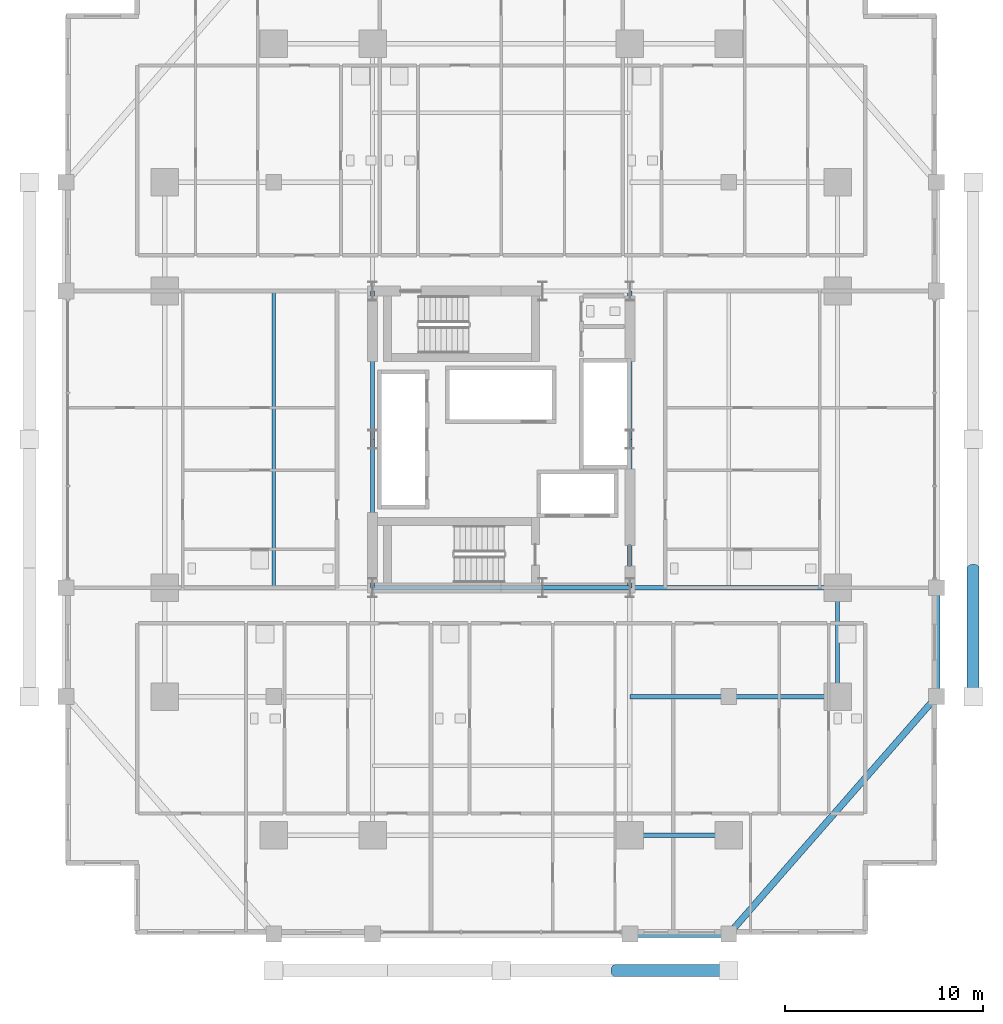
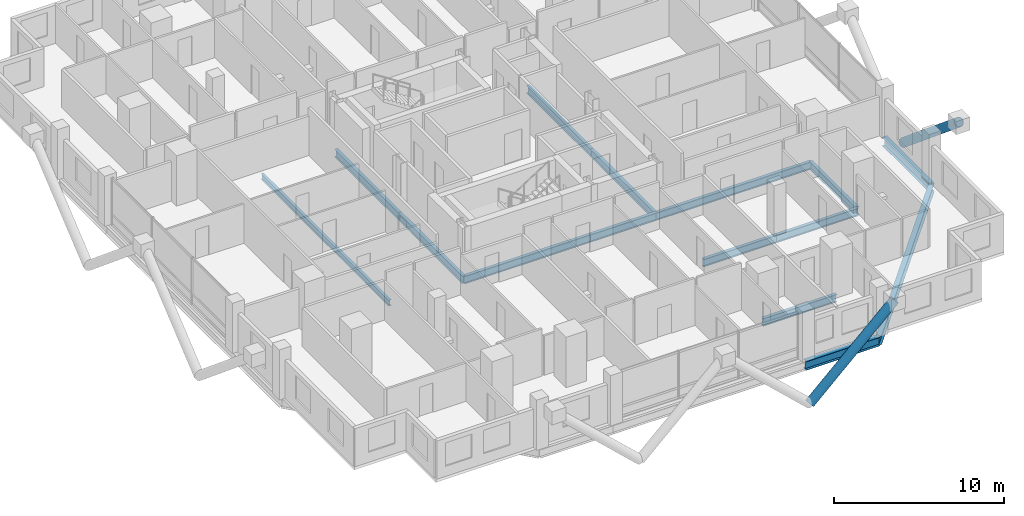
# One storey, part 7 of 24: 15 beams, 2 members.
"""IFC4 building model written with IfcOpenShell, lengths in metres."""

from ifc_helpers import new_model, si_unit, direction, frame, origin, origin_2d, place, context, subcontext, project, spatial, hollow_circle, i_section, extrude, material, material_profile, profile_set, type_object, element, save


model = new_model("IFC4")

# Units and contexts
model_context = context("Model", 3, precision=1e-05, world=origin(), true_north=direction((0.0, 1.0)))
body_context = subcontext(model_context, "Body", "Model", "MODEL_VIEW")
ifc_project = project(units=[si_unit("LENGTHUNIT", "METRE"), si_unit("AREAUNIT", "SQUARE_METRE"), si_unit("VOLUMEUNIT", "CUBIC_METRE"), si_unit("PLANEANGLEUNIT", "RADIAN"), si_unit("MASSUNIT", "GRAM", prefix="KILO")], contexts=[model_context])

# Site, building, storey
site_placement = place(None, origin())
site = spatial("IfcSite", under=ifc_project, at=site_placement, CompositionType="ELEMENT")
building_placement = place(site_placement, origin())
building = spatial("IfcBuilding", under=site, at=building_placement, Name="Barlavira Tower and Art Museum", CompositionType="ELEMENT")
storey_placement = place(building_placement, frame((0.0, 0.0, 46.800048828125)))
storey = spatial("IfcBuildingStorey", under=building, at=storey_placement, Name="L10", CompositionType="ELEMENT", Elevation=46.800048828125)

# Members
ifc_material = material(Name="Steel S355", Category="steel")
ifc_material_profile_1 = material_profile(ifc_material, hollow_circle(Radius=0.304931640625, WallThickness=0.028076171875, at=origin_2d()), Name="CHS 610.0x28.0")
ifc_profile_set_1 = profile_set([ifc_material_profile_1], Name="Steel S355")
member_type = type_object("IfcMemberType", Name="Pale-Metal Exoskeleton Diagrid Tube CHS 610x28 Steel S355", PredefinedType="BRACE", material=ifc_profile_set_1)
member_1_placement = place(storey_placement, frame((5.75, -26.85009765625, -1.920166015625), z_axis=(0.728934650808, 0.0, 0.684583285548), x_axis=(0.0, 1.0, 0.0)))
element("IfcMember", 1, at=member_1_placement, inside=storey, type_object=member_type, Name="L10 Exoskeleton Diagrid Tube S", PredefinedType="BRACE", context=body_context, shape_type="SweptSolid", body=[
    extrude(hollow_circle(Radius=0.304931640625, WallThickness=0.028076171875, at=origin_2d()), origin(), (0.0, 0.0, 1.0), 7.88818359375),
])
member_2_placement = place(storey_placement, frame((23.85009765625, -6.5, -1.920166015625), z_axis=(0.0, -0.76918185268, 0.639029950399), x_axis=(1.0, 0.0, 0.0)))
element("IfcMember", 2, at=member_2_placement, inside=storey, type_object=member_type, Name="L10 Exoskeleton Diagrid Tube E", PredefinedType="BRACE", context=body_context, shape_type="SweptSolid", body=[
    extrude(hollow_circle(Radius=0.304931640625, WallThickness=0.028076171875, at=origin_2d()), origin(), (0.0, 0.0, 1.0), 8.450439453125),
])

# Beams
ifc_material_profile_2 = material_profile(ifc_material, i_section(OverallWidth=0.327880859375, OverallDepth=0.62890625, WebThickness=0.013916015625, FlangeThickness=0.021484375, at=origin_2d()), Name="W610x174.0")
ifc_profile_set_2 = profile_set([ifc_material_profile_2], Name="Steel S355")
beam_type_1 = type_object("IfcBeamType", Name="Perimeter Spandrel Edge Beam W610x174 Steel S355", PredefinedType="SPANDREL", material=ifc_profile_set_2)
beam_1_placement = place(storey_placement, frame((6.5, -25.0, -0.53466796875), z_axis=(1.0, 0.0, 0.0), x_axis=(0.0, 1.0, 0.0)))
element("IfcBeam", 3, at=beam_1_placement, inside=storey, type_object=beam_type_1, Name="L10 Spandrel 3", PredefinedType="SPANDREL", context=body_context, shape_type="SweptSolid", body=[
    extrude(i_section(OverallWidth=0.327880859375, OverallDepth=0.62890625, WebThickness=0.013916015625, FlangeThickness=0.021484375, at=origin_2d()), origin(), (0.0, 0.0, 1.0), 5.0),
])
beam_2_placement = place(storey_placement, frame((11.5, -25.0, -0.53466796875), z_axis=(0.658504607869, 0.752576694707, 0.0), x_axis=(-0.752576694707, 0.658504607869, 0.0)))
element("IfcBeam", 4, at=beam_2_placement, inside=storey, type_object=beam_type_1, Name="L10 Spandrel 4", PredefinedType="SPANDREL", context=body_context, shape_type="SweptSolid", body=[
    extrude(i_section(OverallWidth=0.327880859375, OverallDepth=0.62890625, WebThickness=0.013916015625, FlangeThickness=0.021484375, at=origin_2d()), origin(), (0.0, 0.0, 1.0), 15.9453125),
])
beam_3_placement = place(storey_placement, frame((22.0, -13.0, -0.53466796875), z_axis=(0.0, 1.0, 0.0), x_axis=(-1.0, 0.0, 0.0)))
element("IfcBeam", 5, at=beam_3_placement, inside=storey, type_object=beam_type_1, Name="L10 Spandrel 5", PredefinedType="SPANDREL", context=body_context, shape_type="SweptSolid", body=[
    extrude(i_section(OverallWidth=0.327880859375, OverallDepth=0.62890625, WebThickness=0.013916015625, FlangeThickness=0.021484375, at=origin_2d()), origin(), (0.0, 0.0, 1.0), 5.5),
])
ifc_material_profile_3 = material_profile(ifc_material, i_section(OverallWidth=0.180908203125, OverallDepth=0.4169921875, WebThickness=0.010986328125, FlangeThickness=0.018310546875, at=origin_2d()), Name="W410x85.0")
ifc_profile_set_3 = profile_set([ifc_material_profile_3], Name="Steel S355")
beam_type_2 = type_object("IfcBeamType", Name="Zone 1 Composite Floor Joist W410x85 Steel S355", PredefinedType="JOIST", material=ifc_profile_set_3)
beam_4_placement = place(storey_placement, frame((-11.5, -7.5, -0.428466796875), z_axis=(0.0, 1.0, 0.0), x_axis=(-1.0, 0.0, 0.0)))
element("IfcBeam", 6, at=beam_4_placement, inside=storey, type_object=beam_type_2, Name="L10 Joist W1", PredefinedType="JOIST", context=body_context, shape_type="SweptSolid", body=[
    extrude(i_section(OverallWidth=0.180908203125, OverallDepth=0.4169921875, WebThickness=0.010986328125, FlangeThickness=0.018310546875, at=origin_2d()), origin(), (0.0, 0.0, 1.0), 15.0),
])
ifc_material_profile_4 = material_profile(ifc_material, i_section(OverallWidth=0.214111328125, OverallDepth=0.549072265625, WebThickness=0.0146484375, FlangeThickness=0.023681640625, at=origin_2d()), Name="W530x138.0")
ifc_profile_set_4 = profile_set([ifc_material_profile_4], Name="Steel S355")
beam_type_3 = type_object("IfcBeamType", Name="Zone 1 Primary Floor Girder W530x138 Steel S355", PredefinedType="BEAM", material=ifc_profile_set_4)
beam_5_placement = place(storey_placement, frame((-6.5, -7.5, -0.49462890625), z_axis=(1.0, 0.0, 0.0), x_axis=(0.0, 1.0, 0.0)))
element("IfcBeam", 7, at=beam_5_placement, inside=storey, type_object=beam_type_3, Name="L10 Girder C-S1", PredefinedType="BEAM", context=body_context, shape_type="SweptSolid", body=[
    extrude(i_section(OverallWidth=0.214111328125, OverallDepth=0.549072265625, WebThickness=0.0146484375, FlangeThickness=0.023681640625, at=origin_2d()), origin(), (0.0, 0.0, 1.0), 8.580078125),
])
beam_6_placement = place(storey_placement, frame((2.080078125, -7.5, -0.49462890625), z_axis=(1.0, 0.0, 0.0), x_axis=(0.0, 1.0, 0.0)))
element("IfcBeam", 8, at=beam_6_placement, inside=storey, type_object=beam_type_3, Name="L10 Girder C-S2", PredefinedType="BEAM", context=body_context, shape_type="SweptSolid", body=[
    extrude(i_section(OverallWidth=0.214111328125, OverallDepth=0.549072265625, WebThickness=0.0146484375, FlangeThickness=0.023681640625, at=origin_2d()), origin(), (0.0, 0.0, 1.0), 4.419921875),
])
for number, where, z_axis, x_axis, name in (
    (9, (-6.5, -7.5, -0.49462890625), (0.0, 1.0, 0.0), (-1.0, 0.0, 0.0), "L10 Girder C-W1"),
    (10, (-6.5, 0.0, -0.49462890625), (0.0, 1.0, 0.0), (-1.0, 0.0, 0.0), "L10 Girder C-W2"),
    (11, (6.5, -7.5, -0.49462890625), (0.0, 1.0, 0.0), (-1.0, 0.0, 0.0), "L10 Girder C-E1"),
    (12, (6.5, 0.0, -0.49462890625), (0.0, 1.0, 0.0), (-1.0, 0.0, 0.0), "L10 Girder C-E2"),
):
    element("IfcBeam", number, at=place(storey_placement, frame(where, z_axis=z_axis, x_axis=x_axis)), inside=storey, type_object=beam_type_3, Name=name, PredefinedType="BEAM", context=body_context, shape_type="SweptSolid", body=[
        extrude(i_section(OverallWidth=0.214111328125, OverallDepth=0.549072265625, WebThickness=0.0146484375, FlangeThickness=0.023681640625, at=origin_2d()), origin(), (0.0, 0.0, 1.0), 7.5),
    ])
beam_7_placement = place(storey_placement, frame((6.5, -20.0, -0.49462890625), z_axis=(1.0, 0.0, 0.0), x_axis=(0.0, 1.0, 0.0)))
element("IfcBeam", 13, at=beam_7_placement, inside=storey, type_object=beam_type_3, Name="L10 Girder M-S3", PredefinedType="BEAM", context=body_context, shape_type="SweptSolid", body=[
    extrude(i_section(OverallWidth=0.214111328125, OverallDepth=0.549072265625, WebThickness=0.0146484375, FlangeThickness=0.023681640625, at=origin_2d()), origin(), (0.0, 0.0, 1.0), 5.0),
])
beam_8_placement = place(storey_placement, frame((17.0, -13.0, -0.49462890625), z_axis=(0.0, 1.0, 0.0), x_axis=(-1.0, 0.0, 0.0)))
element("IfcBeam", 14, at=beam_8_placement, inside=storey, type_object=beam_type_3, Name="L10 Girder M-E1", PredefinedType="BEAM", context=body_context, shape_type="SweptSolid", body=[
    extrude(i_section(OverallWidth=0.214111328125, OverallDepth=0.549072265625, WebThickness=0.0146484375, FlangeThickness=0.023681640625, at=origin_2d()), origin(), (0.0, 0.0, 1.0), 5.5),
])
beam_9_placement = place(storey_placement, frame((6.5, -7.5, -0.49462890625), z_axis=(1.0, 0.0, 0.0), x_axis=(0.0, 1.0, 0.0)))
element("IfcBeam", 15, at=beam_9_placement, inside=storey, type_object=beam_type_3, Name="L10 Girder R-E1", PredefinedType="BEAM", context=body_context, shape_type="SweptSolid", body=[
    extrude(i_section(OverallWidth=0.214111328125, OverallDepth=0.549072265625, WebThickness=0.0146484375, FlangeThickness=0.023681640625, at=origin_2d()), origin(), (0.0, 0.0, 1.0), 10.5),
])
beam_10_placement = place(storey_placement, frame((6.5, -13.0, -0.49462890625), z_axis=(1.0, 0.0, 0.0), x_axis=(0.0, 1.0, 0.0)))
element("IfcBeam", 16, at=beam_10_placement, inside=storey, type_object=beam_type_3, Name="L10 Girder I-S3", PredefinedType="BEAM", context=body_context, shape_type="SweptSolid", body=[
    extrude(i_section(OverallWidth=0.214111328125, OverallDepth=0.549072265625, WebThickness=0.0146484375, FlangeThickness=0.023681640625, at=origin_2d()), origin(), (0.0, 0.0, 1.0), 5.0),
])
beam_11_placement = place(storey_placement, frame((11.5, -13.0, -0.49462890625), z_axis=(1.0, 0.0, 0.0), x_axis=(0.0, 1.0, 0.0)))
element("IfcBeam", 17, at=beam_11_placement, inside=storey, type_object=beam_type_3, Name="L10 Girder I-S4", PredefinedType="BEAM", context=body_context, shape_type="SweptSolid", body=[
    extrude(i_section(OverallWidth=0.214111328125, OverallDepth=0.549072265625, WebThickness=0.0146484375, FlangeThickness=0.023681640625, at=origin_2d()), origin(), (0.0, 0.0, 1.0), 5.5),
])

save(model, "model.ifc")
